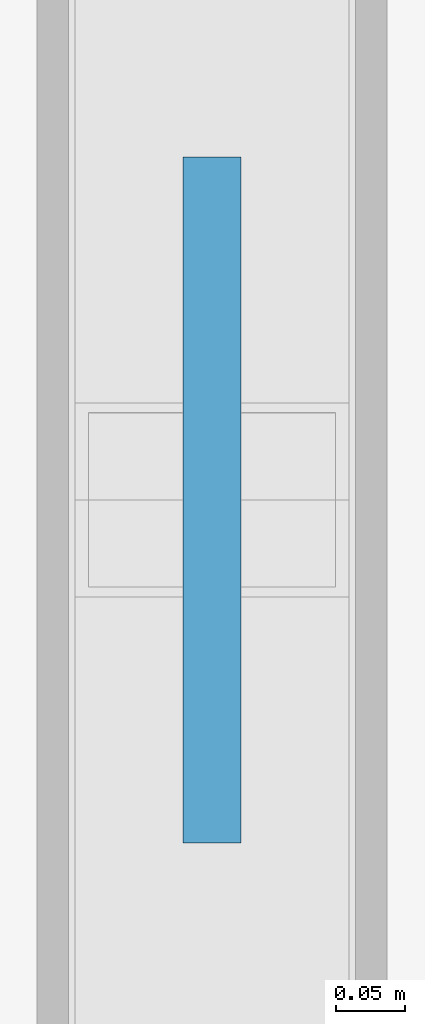
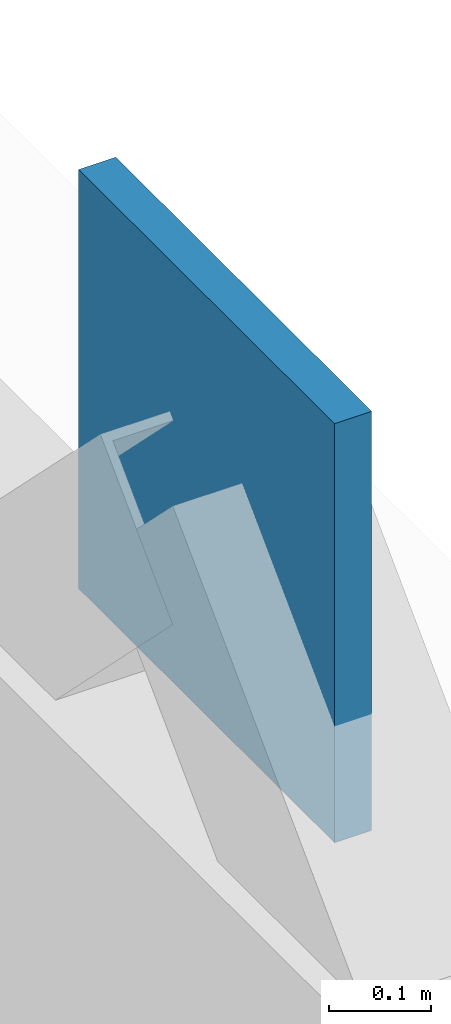
# One storey, part 20 of 28: 1 plate.
"""IFC4 building model written with IfcOpenShell, lengths in metres."""

from ifc_helpers import new_model, si_unit, direction, frame, origin, origin_2d, place, context, subcontext, project, spatial, rectangle, extrude, material, layer, layer_set, type_object, element, save


model = new_model("IFC4")

# Units and contexts
model_context = context("Model", 3, precision=1e-05, world=origin(), true_north=direction((0.0, 1.0)))
body_context = subcontext(model_context, "Body", "Model", "MODEL_VIEW")
ifc_project = project(units=[si_unit("LENGTHUNIT", "METRE"), si_unit("AREAUNIT", "SQUARE_METRE"), si_unit("VOLUMEUNIT", "CUBIC_METRE"), si_unit("PLANEANGLEUNIT", "RADIAN"), si_unit("MASSUNIT", "GRAM", prefix="KILO")], contexts=[model_context])

# Site, building, storey
site_placement = place(None, origin())
site = spatial("IfcSite", under=ifc_project, at=site_placement, CompositionType="ELEMENT")
building_placement = place(site_placement, origin())
building = spatial("IfcBuilding", under=site, at=building_placement, Name="Yarey Park Central Fire Station", CompositionType="ELEMENT")
storey_placement = place(building_placement, frame((0.0, 0.0, 22.199951171875)))
storey = spatial("IfcBuildingStorey", under=building, at=storey_placement, Name="L06", CompositionType="ELEMENT", Elevation=22.199951171875)

# Plate
ifc_material = material(Name="Steel ASTM A572 Gr. 50", Category="steel")
ifc_layer = layer(ifc_material, 0.0419921875)
ifc_layer_set = layer_set([ifc_layer], Name="Steel ASTM A572 Gr. 50")
plate_type = type_object("IfcPlateType", Name="STR_PLT_NODE2", PredefinedType="USERDEFINED", material=ifc_layer_set)
plate_placement = place(storey_placement, frame((165.60009765625, 3.60009765625, 3.400146484375), z_axis=(0.0, 0.0, 1.0), x_axis=(1.0, 0.0, 0.0)))
element("IfcPlate", 1, at=plate_placement, inside=storey, type_object=plate_type, Name="NODE_PLT_DT_L06_1", ObjectType="GUSSET_PLATE", PredefinedType="USERDEFINED", context=body_context, shape_type="SweptSolid", body=[
    extrude(rectangle(XDim=0.0419921875, YDim=0.5, at=origin_2d()), origin(), (0.0, 0.0, 1.0), 0.5),
])

save(model, "model.ifc")
